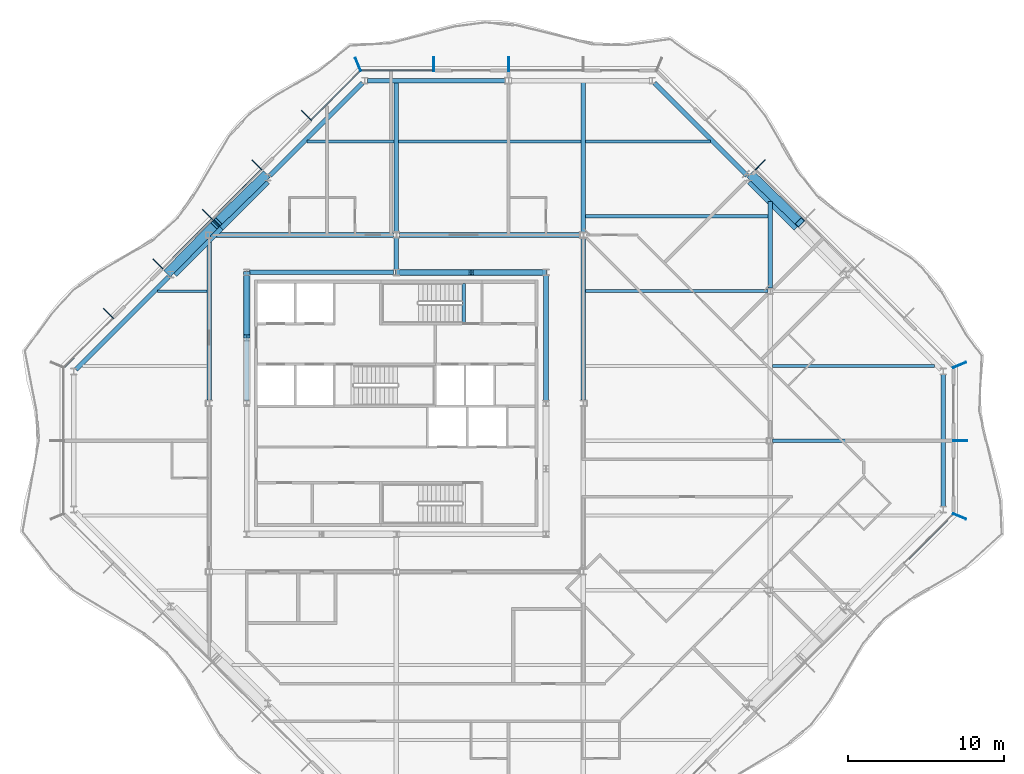
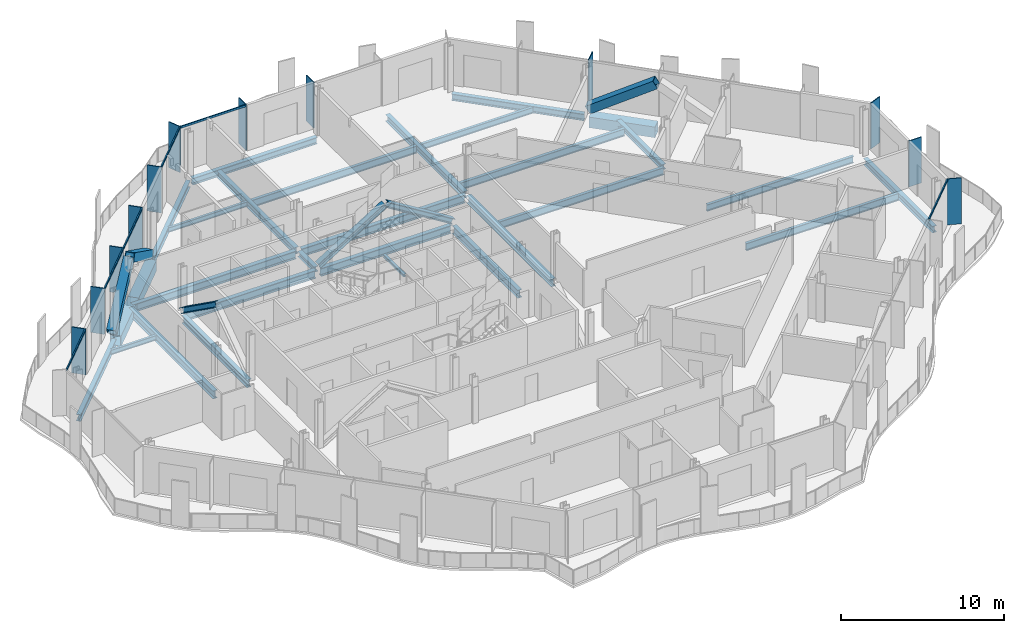
# One storey, part 4 of 17: 29 beams, 24 members, 5 elements without a shape of their own.
"""IFC4 building model written with IfcOpenShell, lengths in metres."""

from ifc_helpers import new_model, si_unit, direction, frame, origin, origin_2d, place, context, subcontext, project, spatial, rectangle, hollow_rectangle, i_section, extrude, material, material_profile, profile_set, type_object, element, aggregate, save


model = new_model("IFC4")

# Units and contexts
model_context = context("Model", 3, precision=1e-05, world=origin(), true_north=direction((0.0, 1.0)))
body_context = subcontext(model_context, "Body", "Model", "MODEL_VIEW")
ifc_project = project(units=[si_unit("LENGTHUNIT", "METRE"), si_unit("AREAUNIT", "SQUARE_METRE"), si_unit("VOLUMEUNIT", "CUBIC_METRE"), si_unit("PLANEANGLEUNIT", "RADIAN"), si_unit("MASSUNIT", "GRAM", prefix="KILO")], contexts=[model_context])

# Site, building, storey
site_placement = place(None, origin())
site = spatial("IfcSite", under=ifc_project, at=site_placement, CompositionType="ELEMENT")
building_placement = place(site_placement, origin())
building = spatial("IfcBuilding", under=site, at=building_placement, Name="Cairn Pilgrim Tower", CompositionType="ELEMENT")
storey_placement = place(building_placement, frame((0.0, 0.0, 232.199951171875)))
storey = spatial("IfcBuildingStorey", under=building, at=storey_placement, Name="L59", CompositionType="ELEMENT", Elevation=232.199951171875)

# Members
ifc_material_1 = material(Name="Structural steel S460M", Category="steel")
ifc_material_profile_1 = material_profile(ifc_material_1, hollow_rectangle(XDim=0.60009765625, YDim=0.60009765625, WallThickness=0.034912109375, at=origin_2d()), Name="BOX 600x600x35")
ifc_profile_set_1 = profile_set([ifc_material_profile_1], Name="Structural steel S460M")
member_type_1 = type_object("IfcMemberType", Name="BOX 600x600x35 BRACE", PredefinedType="BRACE", material=ifc_profile_set_1)
member_1_placement = place(storey_placement, frame((30.02392578125, 17.00146484375, 0.150146484375), z_axis=(0.610009201523, -0.594778373814, 0.523571828979), x_axis=(0.698111810848, 0.715988756584, 0.0)))
element("IfcMember", 1, at=member_1_placement, inside=storey, type_object=member_type_1, Name="XB-NE2-NE3-2", PredefinedType="BRACE", context=body_context, shape_type="SweptSolid", body=[
    extrude(hollow_rectangle(XDim=0.60009765625, YDim=0.60009765625, WallThickness=0.034912109375, at=origin_2d()), origin(), (0.0, 0.0, 1.0), 5.033203125),
])
member_2_placement = place(storey_placement, frame((-1.22412109375, 17.00146484375, 0.150146484375), z_axis=(-0.609978743911, -0.59479597279, 0.523587321016), x_axis=(0.698140268834, -0.71596100804, 0.0)))
element("IfcMember", 2, at=member_2_placement, inside=storey, type_object=member_type_1, Name="XB-NW2-NW3-1", PredefinedType="BRACE", context=body_context, shape_type="SweptSolid", body=[
    extrude(hollow_rectangle(XDim=0.60009765625, YDim=0.60009765625, WallThickness=0.034912109375, at=origin_2d()), origin(), (0.0, 0.0, 1.0), 5.032958984375),
])
member_3_placement = place(storey_placement, frame((-7.4013671875, 10.823974609375, 0.150146484375), z_axis=(0.594778373814, 0.610009201523, 0.523571828979), x_axis=(-0.715988756584, 0.698111810848, 0.0)))
element("IfcMember", 3, at=member_3_placement, inside=storey, type_object=member_type_1, Name="XB-NW2-NW3-2", PredefinedType="BRACE", context=body_context, shape_type="SweptSolid", body=[
    extrude(hollow_rectangle(XDim=0.60009765625, YDim=0.60009765625, WallThickness=0.034912109375, at=origin_2d()), origin(), (0.0, 0.0, 1.0), 5.033203125),
])

# Beams
ifc_material_2 = material(Name="Structural steel S355J2", Category="steel")
ifc_material_profile_2 = material_profile(ifc_material_2, hollow_rectangle(XDim=0.699951171875, YDim=0.800048828125, WallThickness=0.0400390625, at=origin_2d()), Name="BOX 700x800x40")
ifc_profile_set_2 = profile_set([ifc_material_profile_2], Name="Structural steel S355J2")
beam_type_1 = type_object("IfcBeamType", Name="BOX 700x800x40 RING GIRDER", PredefinedType="SPANDREL", material=ifc_profile_set_2)
for number, where, z_axis, x_axis, name in (
    (4, (32.963623046875, 13.763671875, -0.550048828125), (-0.707106781187, 0.707106781187, 0.0), (-0.707106781187, -0.707106781187, 0.0), "RG3-NE2-NE3-2"),
    (5, (-1.183837890625, 16.743408203125, -0.550048828125), (-0.707106781187, -0.707106781187, 0.0), (0.707106781187, -0.707106781187, 0.0), "RG3-NW2-NW3-1"),
):
    element("IfcBeam", number, at=place(storey_placement, frame(where, z_axis=z_axis, x_axis=x_axis)), inside=storey, type_object=beam_type_1, Name=name, PredefinedType="SPANDREL", context=body_context, shape_type="SweptSolid", body=[
        extrude(hollow_rectangle(XDim=0.699951171875, YDim=0.800048828125, WallThickness=0.0400390625, at=origin_2d()), origin(), (0.0, 0.0, 1.0), 4.2138671875),
    ])
beam_1_placement = place(storey_placement, frame((-4.16357421875, 13.763671875, -0.550048828125), z_axis=(-0.707077813866, -0.707135747321, 0.0), x_axis=(0.707135747321, -0.707077813866, 0.0)))
element("IfcBeam", 6, at=beam_1_placement, inside=storey, type_object=beam_type_1, Name="RG3-NW2-NW3-2", PredefinedType="SPANDREL", context=body_context, shape_type="SweptSolid", body=[
    extrude(hollow_rectangle(XDim=0.699951171875, YDim=0.800048828125, WallThickness=0.0400390625, at=origin_2d()), origin(), (0.0, 0.0, 1.0), 4.214111328125),
])

# Curtain wall, members
ifc_material_3 = material(Name="Aluminium alloy 6063-T6 bronze anodised with Bronze tinted laminated low-E glass 8+16+8.8", Category="aluminium")
curtain_wall_type_1 = type_object("IfcCurtainWallType", Name="TOWER STICK CURTAIN WALL EW", PredefinedType="NOTDEFINED", material=ifc_material_3)
curtain_wall_1_placement = place(storey_placement, origin())
curtain_wall_1 = element("IfcCurtainWall", 7, at=curtain_wall_1_placement, inside=storey, type_object=curtain_wall_type_1, Name="Tower Stick Curtain Wall Ew E", PredefinedType="NOTDEFINED")
ifc_material_4 = material(Name="Aluminium alloy 6063-T6 bronze anodised", Category="aluminium")
ifc_material_profile_3 = material_profile(ifc_material_4, rectangle(XDim=0.89990234375, YDim=0.06005859375, at=origin_2d()), Name="FIN MULLION 60x900 BRONZE")
ifc_profile_set_3 = profile_set([ifc_material_profile_3], Name="Aluminium alloy 6063-T6 bronze anodised")
member_type_2 = type_object("IfcMemberType", Name="FIN MULLION 60x900 BRONZE", PredefinedType="MULLION", material=ifc_profile_set_3)
member_4_placement = place(storey_placement, frame((43.338134765625, -4.857177734375, 0.0), z_axis=(0.0, 0.0, 1.0), x_axis=(0.923879532511, -0.382683432365, 0.0)))
member_4 = element("IfcMember", 8, at=member_4_placement, type_object=member_type_2, Name="Fin mullion E1", PredefinedType="MULLION", context=body_context, shape_type="SweptSolid", body=[
    extrude(rectangle(XDim=0.89990234375, YDim=0.06005859375, at=origin_2d()), origin(), (0.0, 0.0, 1.0), 3.449951171875),
])
member_5_placement = place(storey_placement, frame((43.3701171875, 0.0, 0.0), z_axis=(0.0, 0.0, 1.0), x_axis=(1.0, 0.0, 0.0)))
member_5 = element("IfcMember", 9, at=member_5_placement, type_object=member_type_2, Name="Fin mullion E2", PredefinedType="MULLION", context=body_context, shape_type="SweptSolid", body=[
    extrude(rectangle(XDim=0.89990234375, YDim=0.06005859375, at=origin_2d()), origin(), (0.0, 0.0, 1.0), 3.449951171875),
])
aggregate(curtain_wall_1, [member_4, member_5])

curtain_wall_type_2 = type_object("IfcCurtainWallType", Name="CHAMFER CORNER CURTAIN WALL", PredefinedType="NOTDEFINED", material=ifc_material_3)
curtain_wall_2_placement = place(storey_placement, origin())
curtain_wall_2 = element("IfcCurtainWall", 10, at=curtain_wall_2_placement, inside=storey, type_object=curtain_wall_type_2, Name="Chamfer Corner Curtain Wall NE", PredefinedType="NOTDEFINED")
member_6_placement = place(storey_placement, frame((43.338134765625, 4.857177734375, 0.0), z_axis=(0.0, 0.0, 1.0), x_axis=(0.923879532511, 0.382683432365, 0.0)))
member_6 = element("IfcMember", 11, at=member_6_placement, type_object=member_type_2, Name="Fin mullion NE1", PredefinedType="MULLION", context=body_context, shape_type="SweptSolid", body=[
    extrude(rectangle(XDim=0.89990234375, YDim=0.06005859375, at=origin_2d()), origin(), (0.0, 0.0, 1.0), 3.449951171875),
])
member_7_placement = place(storey_placement, frame((30.544677734375, 17.69580078125, 0.0), z_axis=(0.0, 0.0, 1.0), x_axis=(0.707106781187, 0.707106781187, 0.0)))
member_7 = element("IfcMember", 12, at=member_7_placement, type_object=member_type_2, Name="Fin mullion NE5", PredefinedType="MULLION", context=body_context, shape_type="SweptSolid", body=[
    extrude(rectangle(XDim=0.89990234375, YDim=0.06005859375, at=origin_2d()), origin(), (0.0, 0.0, 1.0), 3.449951171875),
])
aggregate(curtain_wall_2, [member_6, member_7])

curtain_wall_type_3 = type_object("IfcCurtainWallType", Name="TOWER STICK CURTAIN WALL NS", PredefinedType="NOTDEFINED", material=ifc_material_3)
curtain_wall_3_placement = place(storey_placement, origin())
curtain_wall_3 = element("IfcCurtainWall", 13, at=curtain_wall_3_placement, inside=storey, type_object=curtain_wall_type_3, Name="Tower Stick Curtain Wall Ns N", PredefinedType="NOTDEFINED")
member_8_placement = place(storey_placement, frame((14.39990234375, 24.169921875, 0.0), z_axis=(0.0, 0.0, 1.0), x_axis=(0.0, 1.0, 0.0)))
member_8 = element("IfcMember", 14, at=member_8_placement, type_object=member_type_2, Name="Fin mullion N3", PredefinedType="MULLION", context=body_context, shape_type="SweptSolid", body=[
    extrude(rectangle(XDim=0.89990234375, YDim=0.06005859375, at=origin_2d()), origin(), (0.0, 0.0, 1.0), 3.449951171875),
])
member_9_placement = place(storey_placement, frame((9.60009765625, 24.169921875, 0.0), z_axis=(0.0, 0.0, 1.0), x_axis=(0.0, 1.0, 0.0)))
member_9 = element("IfcMember", 15, at=member_9_placement, type_object=member_type_2, Name="Fin mullion N4", PredefinedType="MULLION", context=body_context, shape_type="SweptSolid", body=[
    extrude(rectangle(XDim=0.89990234375, YDim=0.06005859375, at=origin_2d()), origin(), (0.0, 0.0, 1.0), 3.449951171875),
])

curtain_wall_4_placement = place(storey_placement, origin())
curtain_wall_4 = element("IfcCurtainWall", 16, at=curtain_wall_4_placement, inside=storey, type_object=curtain_wall_type_2, Name="Chamfer Corner Curtain Wall NW", PredefinedType="NOTDEFINED")
member_10_placement = place(storey_placement, frame((4.742919921875, 24.137939453125, 0.0), z_axis=(0.0, 0.0, 1.0), x_axis=(-0.382683432365, 0.923879532511, 0.0)))
member_10 = element("IfcMember", 17, at=member_10_placement, type_object=member_type_2, Name="Fin mullion NW1", PredefinedType="MULLION", context=body_context, shape_type="SweptSolid", body=[
    extrude(rectangle(XDim=0.89990234375, YDim=0.06005859375, at=origin_2d()), origin(), (0.0, 0.0, 1.0), 3.449951171875),
])
member_11_placement = place(storey_placement, frame((1.430908203125, 20.871337890625, 0.0), z_axis=(0.0, 0.0, 1.0), x_axis=(-0.707106781187, 0.707106781187, 0.0)))
member_11 = element("IfcMember", 18, at=member_11_placement, type_object=member_type_2, Name="Fin mullion NW2", PredefinedType="MULLION", context=body_context, shape_type="SweptSolid", body=[
    extrude(rectangle(XDim=0.89990234375, YDim=0.06005859375, at=origin_2d()), origin(), (0.0, 0.0, 1.0), 3.449951171875),
])
member_12_placement = place(storey_placement, frame((-1.74462890625, 17.69580078125, 0.0), z_axis=(0.0, 0.0, 1.0), x_axis=(-0.707106781187, 0.707106781187, 0.0)))
member_12 = element("IfcMember", 19, at=member_12_placement, type_object=member_type_2, Name="Fin mullion NW3", PredefinedType="MULLION", context=body_context, shape_type="SweptSolid", body=[
    extrude(rectangle(XDim=0.89990234375, YDim=0.06005859375, at=origin_2d()), origin(), (0.0, 0.0, 1.0), 3.449951171875),
])
member_13_placement = place(storey_placement, frame((-4.920166015625, 14.520263671875, 0.0), z_axis=(0.0, 0.0, 1.0), x_axis=(-0.707106781187, 0.707106781187, 0.0)))
member_13 = element("IfcMember", 20, at=member_13_placement, type_object=member_type_2, Name="Fin mullion NW4", PredefinedType="MULLION", context=body_context, shape_type="SweptSolid", body=[
    extrude(rectangle(XDim=0.89990234375, YDim=0.06005859375, at=origin_2d()), origin(), (0.0, 0.0, 1.0), 3.449951171875),
])
member_14_placement = place(storey_placement, frame((-8.095703125, 11.3447265625, 0.0), z_axis=(0.0, 0.0, 1.0), x_axis=(-0.707106781187, 0.707106781187, 0.0)))
member_14 = element("IfcMember", 21, at=member_14_placement, type_object=member_type_2, Name="Fin mullion NW5", PredefinedType="MULLION", context=body_context, shape_type="SweptSolid", body=[
    extrude(rectangle(XDim=0.89990234375, YDim=0.06005859375, at=origin_2d()), origin(), (0.0, 0.0, 1.0), 3.449951171875),
])
member_15_placement = place(storey_placement, frame((-11.271484375, 8.1689453125, 0.0), z_axis=(0.0, 0.0, 1.0), x_axis=(-0.707106781187, 0.707106781187, 0.0)))
member_15 = element("IfcMember", 22, at=member_15_placement, type_object=member_type_2, Name="Fin mullion NW6", PredefinedType="MULLION", context=body_context, shape_type="SweptSolid", body=[
    extrude(rectangle(XDim=0.89990234375, YDim=0.06005859375, at=origin_2d()), origin(), (0.0, 0.0, 1.0), 3.449951171875),
])

# Members
ifc_material_profile_4 = material_profile(ifc_material_2, i_section(OverallWidth=0.39794921875, OverallDepth=0.386962890625, WebThickness=0.02099609375, FlangeThickness=0.033203125, FilletRadius=0.014892578125, at=origin_2d()), Name="HD 400x262")
ifc_profile_set_4 = profile_set([ifc_material_profile_4], Name="Structural steel S355J2")
member_type_3 = type_object("IfcMemberType", Name="HD 400x262 BRACE", PredefinedType="BRACE", material=ifc_profile_set_4)
for number, where, z_axis, x_axis, name in (
    (23, (16.759521484375, 10.800048828125, 0.10009765625), (-0.851180404412, 0.0, 0.524873241025), (0.0, -1.0, 0.0), "KB-3A"),
    (24, (7.240478515625, 10.800048828125, 0.10009765625), (0.851180404412, 0.0, 0.524873241025), (0.0, 1.0, 0.0), "KB-3B"),
):
    element("IfcMember", number, at=place(storey_placement, frame(where, z_axis=z_axis, x_axis=x_axis)), inside=storey, type_object=member_type_3, Name=name, PredefinedType="BRACE", context=body_context, shape_type="SweptSolid", body=[
        extrude(i_section(OverallWidth=0.39794921875, OverallDepth=0.386962890625, WebThickness=0.02099609375, FlangeThickness=0.033203125, FilletRadius=0.014892578125, at=origin_2d()), origin(), (0.0, 0.0, 1.0), 5.529052734375),
    ])
member_16_placement = place(storey_placement, frame((-2.39990234375, 10.759521484375, 0.10009765625), z_axis=(0.0, -0.814412678688, 0.580286126659), x_axis=(1.0, 0.0, 0.0)))
element("IfcMember", 25, at=member_16_placement, inside=storey, type_object=member_type_3, Name="KB-4A", PredefinedType="BRACE", context=body_context, shape_type="SweptSolid", body=[
    extrude(i_section(OverallWidth=0.39794921875, OverallDepth=0.386962890625, WebThickness=0.02099609375, FlangeThickness=0.033203125, FilletRadius=0.014892578125, at=origin_2d()), origin(), (0.0, 0.0, 1.0), 4.9990234375),
])

# Beams
ifc_material_profile_5 = material_profile(ifc_material_2, i_section(OverallWidth=0.300048828125, OverallDepth=0.39990234375, WebThickness=0.013427734375, FlangeThickness=0.02392578125, FilletRadius=0.027099609375, at=origin_2d()), Name="HEB 400")
ifc_profile_set_5 = profile_set([ifc_material_profile_5], Name="Structural steel S355J2")
beam_type_2 = type_object("IfcBeamType", Name="HEB 400 GIRDER", PredefinedType="BEAM", material=ifc_profile_set_5)
beam_2_placement = place(storey_placement, frame((7.199951171875, 11.001953125, -0.349853515625), z_axis=(0.0, 1.0, 0.0), x_axis=(-1.0, 0.0, 0.0)))
element("IfcBeam", 26, at=beam_2_placement, inside=storey, type_object=beam_type_2, Name="PG3-E2", PredefinedType="BEAM", context=body_context, shape_type="SweptSolid", body=[
    extrude(i_section(OverallWidth=0.300048828125, OverallDepth=0.39990234375, WebThickness=0.013427734375, FlangeThickness=0.02392578125, FilletRadius=0.027099609375, at=origin_2d()), origin(), (0.0, 0.0, 1.0), 1.99853515625),
])
beam_3_placement = place(storey_placement, frame((31.199951171875, 9.799560546875, -0.349853515625), z_axis=(0.0, 1.0, 0.0), x_axis=(-1.0, 0.0, 0.0)))
element("IfcBeam", 27, at=beam_3_placement, inside=storey, type_object=beam_type_2, Name="PG5-4", PredefinedType="BEAM", context=body_context, shape_type="SweptSolid", body=[
    extrude(i_section(OverallWidth=0.300048828125, OverallDepth=0.39990234375, WebThickness=0.013427734375, FlangeThickness=0.02392578125, FilletRadius=0.027099609375, at=origin_2d()), origin(), (0.0, 0.0, 1.0), 5.545654296875),
])
ifc_material_profile_6 = material_profile(ifc_material_2, i_section(OverallWidth=0.300048828125, OverallDepth=0.5, WebThickness=0.014404296875, FlangeThickness=0.028076171875, FilletRadius=0.027099609375, at=origin_2d()), Name="HEB 500")
ifc_profile_set_6 = profile_set([ifc_material_profile_6], Name="Structural steel S355J2")
beam_type_3 = type_object("IfcBeamType", Name="HEB 500 GIRDER", PredefinedType="BEAM", material=ifc_profile_set_6)
for number, where, z_axis, x_axis, name in (
    (28, (7.199951171875, 13.3994140625, -0.39990234375), (0.0, 1.0, 0.0), (-1.0, 0.0, 0.0), "PG3-2"),
    (29, (19.199951171875, 13.3994140625, -0.39990234375), (0.0, 1.0, 0.0), (-1.0, 0.0, 0.0), "PG4-4"),
):
    element("IfcBeam", number, at=place(storey_placement, frame(where, z_axis=z_axis, x_axis=x_axis)), inside=storey, type_object=beam_type_3, Name=name, PredefinedType="BEAM", context=body_context, shape_type="SweptSolid", body=[
        extrude(i_section(OverallWidth=0.300048828125, OverallDepth=0.5, WebThickness=0.014404296875, FlangeThickness=0.028076171875, FilletRadius=0.027099609375, at=origin_2d()), origin(), (0.0, 0.0, 1.0), 9.58056640625),
    ])
ifc_material_profile_7 = material_profile(ifc_material_2, i_section(OverallWidth=0.300048828125, OverallDepth=0.5, WebThickness=0.014404296875, FlangeThickness=0.028076171875, FilletRadius=0.027099609375, at=origin_2d()), Name="HEB 500")
ifc_profile_set_7 = profile_set([ifc_material_profile_7], Name="Structural steel S355J2")
beam_type_4 = type_object("IfcBeamType", Name="HEB 500 RING GIRDER", PredefinedType="SPANDREL", material=ifc_profile_set_7)
beam_4_placement = place(storey_placement, frame((42.300048828125, -4.239990234375, -0.39990234375), z_axis=(0.0, 1.0, 0.0), x_axis=(-1.0, 0.0, 0.0)))
element("IfcBeam", 30, at=beam_4_placement, inside=storey, type_object=beam_type_4, Name="RG3-E1-NE1", PredefinedType="SPANDREL", context=body_context, shape_type="SweptSolid", body=[
    extrude(i_section(OverallWidth=0.300048828125, OverallDepth=0.5, WebThickness=0.014404296875, FlangeThickness=0.028076171875, FilletRadius=0.027099609375, at=origin_2d()), origin(), (0.0, 0.0, 1.0), 8.47998046875),
])
beam_5_placement = place(storey_placement, frame((29.718994140625, 17.008056640625, -0.39990234375), z_axis=(-0.707106781187, 0.707106781187, 0.0), x_axis=(-0.707106781187, -0.707106781187, 0.0)))
element("IfcBeam", 31, at=beam_5_placement, inside=storey, type_object=beam_type_4, Name="RG3-NE3-N1", PredefinedType="SPANDREL", context=body_context, shape_type="SweptSolid", body=[
    extrude(i_section(OverallWidth=0.300048828125, OverallDepth=0.5, WebThickness=0.014404296875, FlangeThickness=0.028076171875, FilletRadius=0.027099609375, at=origin_2d()), origin(), (0.0, 0.0, 1.0), 8.427978515625),
])
beam_6_placement = place(storey_placement, frame((14.212890625, 23.10009765625, -0.39990234375), z_axis=(-1.0, 0.0, 0.0), x_axis=(0.0, -1.0, 0.0)))
element("IfcBeam", 32, at=beam_6_placement, inside=storey, type_object=beam_type_4, Name="RG3-N2-NW1", PredefinedType="SPANDREL", context=body_context, shape_type="SweptSolid", body=[
    extrude(i_section(OverallWidth=0.300048828125, OverallDepth=0.5, WebThickness=0.014404296875, FlangeThickness=0.028076171875, FilletRadius=0.027099609375, at=origin_2d()), origin(), (0.0, 0.0, 1.0), 8.852783203125),
])
for number, where, z_axis, x_axis, name in (
    (33, (5.040283203125, 22.967529296875, -0.39990234375), (-0.707106781187, -0.707106781187, 0.0), (0.707106781187, -0.707106781187, 0.0), "RG3-NW1-NW2"),
    (34, (-7.408203125, 10.51904296875, -0.39990234375), (-0.707106781187, -0.707106781187, 0.0), (0.707106781187, -0.707106781187, 0.0), "RG3-NW3-W1"),
):
    element("IfcBeam", number, at=place(storey_placement, frame(where, z_axis=z_axis, x_axis=x_axis)), inside=storey, type_object=beam_type_4, Name=name, PredefinedType="SPANDREL", context=body_context, shape_type="SweptSolid", body=[
        extrude(i_section(OverallWidth=0.300048828125, OverallDepth=0.5, WebThickness=0.014404296875, FlangeThickness=0.028076171875, FilletRadius=0.027099609375, at=origin_2d()), origin(), (0.0, 0.0, 1.0), 8.427978515625),
    ])
ifc_material_profile_8 = material_profile(ifc_material_2, i_section(OverallWidth=0.300048828125, OverallDepth=0.60009765625, WebThickness=0.015380859375, FlangeThickness=0.030029296875, FilletRadius=0.027099609375, at=origin_2d()), Name="HEB 600")
ifc_profile_set_8 = profile_set([ifc_material_profile_8], Name="Structural steel S355J2")
beam_type_5 = type_object("IfcBeamType", Name="HEB 600 CORE BEAM", PredefinedType="BEAM", material=ifc_profile_set_8)
beam_7_placement = place(storey_placement, frame((16.800048828125, 2.581787109375, -0.449951171875), z_axis=(0.0, 1.0, 0.0), x_axis=(-1.0, 0.0, 0.0)))
element("IfcBeam", 35, at=beam_7_placement, inside=storey, type_object=beam_type_5, Name="CB-4", PredefinedType="BEAM", context=body_context, shape_type="SweptSolid", body=[
    extrude(i_section(OverallWidth=0.300048828125, OverallDepth=0.60009765625, WebThickness=0.015380859375, FlangeThickness=0.030029296875, FilletRadius=0.027099609375, at=origin_2d()), origin(), (0.0, 0.0, 1.0), 8.036376953125),
])
beam_8_placement = place(storey_placement, frame((16.6181640625, 10.800048828125, -0.449951171875), z_axis=(-1.0, 0.0, 0.0), x_axis=(0.0, -1.0, 0.0)))
element("IfcBeam", 36, at=beam_8_placement, inside=storey, type_object=beam_type_5, Name="CB-5", PredefinedType="BEAM", context=body_context, shape_type="SweptSolid", body=[
    extrude(i_section(OverallWidth=0.300048828125, OverallDepth=0.60009765625, WebThickness=0.015380859375, FlangeThickness=0.030029296875, FilletRadius=0.027099609375, at=origin_2d()), origin(), (0.0, 0.0, 1.0), 9.236328125),
])
beam_9_placement = place(storey_placement, frame((7.018310546875, 10.800048828125, -0.449951171875), z_axis=(-1.0, 0.0, 0.0), x_axis=(0.0, -1.0, 0.0)))
element("IfcBeam", 37, at=beam_9_placement, inside=storey, type_object=beam_type_5, Name="CB-6", PredefinedType="BEAM", context=body_context, shape_type="SweptSolid", body=[
    extrude(i_section(OverallWidth=0.300048828125, OverallDepth=0.60009765625, WebThickness=0.015380859375, FlangeThickness=0.030029296875, FilletRadius=0.027099609375, at=origin_2d()), origin(), (0.0, 0.0, 1.0), 9.236572265625),
])
beam_10_placement = place(storey_placement, frame((-2.39990234375, 10.6181640625, -0.449951171875), z_axis=(0.0, -1.0, 0.0), x_axis=(1.0, 0.0, 0.0)))
element("IfcBeam", 38, at=beam_10_placement, inside=storey, type_object=beam_type_5, Name="CB-7", PredefinedType="BEAM", context=body_context, shape_type="SweptSolid", body=[
    extrude(i_section(OverallWidth=0.300048828125, OverallDepth=0.60009765625, WebThickness=0.015380859375, FlangeThickness=0.030029296875, FilletRadius=0.027099609375, at=origin_2d()), origin(), (0.0, 0.0, 1.0), 8.036376953125),
])
ifc_material_profile_9 = material_profile(ifc_material_2, i_section(OverallWidth=0.300048828125, OverallDepth=0.60009765625, WebThickness=0.015380859375, FlangeThickness=0.030029296875, FilletRadius=0.027099609375, at=origin_2d()), Name="HEB 600")
ifc_profile_set_9 = profile_set([ifc_material_profile_9], Name="Structural steel S355J2")
beam_type_6 = type_object("IfcBeamType", Name="HEB 600 GIRDER", PredefinedType="BEAM", material=ifc_profile_set_9)
beam_11_placement = place(storey_placement, frame((-4.800048828125, 2.599609375, -0.449951171875), z_axis=(0.0, 1.0, 0.0), x_axis=(-1.0, 0.0, 0.0)))
element("IfcBeam", 39, at=beam_11_placement, inside=storey, type_object=beam_type_6, Name="PG2-3", PredefinedType="BEAM", context=body_context, shape_type="SweptSolid", body=[
    extrude(i_section(OverallWidth=0.300048828125, OverallDepth=0.60009765625, WebThickness=0.015380859375, FlangeThickness=0.030029296875, FilletRadius=0.027099609375, at=origin_2d()), origin(), (0.0, 0.0, 1.0), 10.345458984375),
])
beam_12_placement = place(storey_placement, frame((19.199951171875, 2.599609375, -0.449951171875), z_axis=(0.0, 1.0, 0.0), x_axis=(-1.0, 0.0, 0.0)))
element("IfcBeam", 40, at=beam_12_placement, inside=storey, type_object=beam_type_6, Name="PG4-3", PredefinedType="BEAM", context=body_context, shape_type="SweptSolid", body=[
    extrude(i_section(OverallWidth=0.300048828125, OverallDepth=0.60009765625, WebThickness=0.015380859375, FlangeThickness=0.030029296875, FilletRadius=0.027099609375, at=origin_2d()), origin(), (0.0, 0.0, 1.0), 10.40087890625),
])
ifc_material_profile_10 = material_profile(ifc_material_2, i_section(OverallWidth=0.300048828125, OverallDepth=0.60009765625, WebThickness=0.015380859375, FlangeThickness=0.030029296875, FilletRadius=0.027099609375, at=origin_2d()), Name="HEB 600")
ifc_profile_set_10 = profile_set([ifc_material_profile_10], Name="Structural steel S355J2")
beam_type_7 = type_object("IfcBeamType", Name="HEB 600 INNER GIRDER", PredefinedType="BEAM", material=ifc_profile_set_10)
for number, where, z_axis, x_axis, name in (
    (41, (-4.6005859375, 13.199951171875, -0.449951171875), (1.0, 0.0, 0.0), (0.0, 1.0, 0.0), "IG2-1"),
    (42, (7.3994140625, 13.199951171875, -0.449951171875), (1.0, 0.0, 0.0), (0.0, 1.0, 0.0), "IG2-2"),
):
    element("IfcBeam", number, at=place(storey_placement, frame(where, z_axis=z_axis, x_axis=x_axis)), inside=storey, type_object=beam_type_7, Name=name, PredefinedType="BEAM", context=body_context, shape_type="SweptSolid", body=[
        extrude(i_section(OverallWidth=0.300048828125, OverallDepth=0.60009765625, WebThickness=0.015380859375, FlangeThickness=0.030029296875, FilletRadius=0.027099609375, at=origin_2d()), origin(), (0.0, 0.0, 1.0), 11.60107421875),
    ])
ifc_material_profile_11 = material_profile(ifc_material_2, i_section(OverallWidth=0.169921875, OverallDepth=0.360107421875, WebThickness=0.008056640625, FlangeThickness=0.0126953125, FilletRadius=0.01806640625, at=origin_2d()), Name="IPE 360")
ifc_profile_set_11 = profile_set([ifc_material_profile_11], Name="Structural steel S355J2")
beam_type_8 = type_object("IfcBeamType", Name="IPE 360 SECONDARY BEAM", PredefinedType="JOIST", material=ifc_profile_set_11)
beam_13_placement = place(storey_placement, frame((-8.14501953125, 9.60009765625, -0.329833984375), z_axis=(1.0, 0.0, 0.0), x_axis=(0.0, 1.0, 0.0)))
element("IfcBeam", 43, at=beam_13_placement, inside=storey, type_object=beam_type_8, Name="SB7-1", PredefinedType="JOIST", context=body_context, shape_type="SweptSolid", body=[
    extrude(i_section(OverallWidth=0.169921875, OverallDepth=0.360107421875, WebThickness=0.008056640625, FlangeThickness=0.0126953125, FilletRadius=0.01806640625, at=origin_2d()), origin(), (0.0, 0.0, 1.0), 3.195068359375),
])
beam_14_placement = place(storey_placement, frame((1.454833984375, 19.199951171875, -0.329833984375), z_axis=(1.0, 0.0, 0.0), x_axis=(0.0, 1.0, 0.0)))
element("IfcBeam", 44, at=beam_14_placement, inside=storey, type_object=beam_type_8, Name="SB9-1", PredefinedType="JOIST", context=body_context, shape_type="SweptSolid", body=[
    extrude(i_section(OverallWidth=0.169921875, OverallDepth=0.360107421875, WebThickness=0.008056640625, FlangeThickness=0.0126953125, FilletRadius=0.01806640625, at=origin_2d()), origin(), (0.0, 0.0, 1.0), 5.59521484375),
])
ifc_material_profile_12 = material_profile(ifc_material_2, i_section(OverallWidth=0.18994140625, OverallDepth=0.449951171875, WebThickness=0.009521484375, FlangeThickness=0.0146484375, FilletRadius=0.02099609375, at=origin_2d()), Name="IPE 450")
ifc_profile_set_12 = profile_set([ifc_material_profile_12], Name="Structural steel S355J2")
beam_type_9 = type_object("IfcBeamType", Name="IPE 450 SECONDARY BEAM", PredefinedType="JOIST", material=ifc_profile_set_12)
beam_15_placement = place(storey_placement, frame((19.35009765625, 19.199951171875, -0.375), z_axis=(1.0, 0.0, 0.0), x_axis=(0.0, 1.0, 0.0)))
element("IfcBeam", 45, at=beam_15_placement, inside=storey, type_object=beam_type_9, Name="SB9-3", PredefinedType="JOIST", context=body_context, shape_type="SweptSolid", body=[
    extrude(i_section(OverallWidth=0.18994140625, OverallDepth=0.449951171875, WebThickness=0.009521484375, FlangeThickness=0.0146484375, FilletRadius=0.02099609375, at=origin_2d()), origin(), (0.0, 0.0, 1.0), 7.9951171875),
])
ifc_material_profile_13 = material_profile(ifc_material_2, i_section(OverallWidth=0.199951171875, OverallDepth=0.5, WebThickness=0.01025390625, FlangeThickness=0.01611328125, FilletRadius=0.02099609375, at=origin_2d()), Name="IPE 500")
ifc_profile_set_13 = profile_set([ifc_material_profile_13], Name="Structural steel S355J2")
beam_type_10 = type_object("IfcBeamType", Name="IPE 500 SECONDARY BEAM", PredefinedType="JOIST", material=ifc_profile_set_13)
beam_16_placement = place(storey_placement, frame((31.35009765625, 4.800048828125, -0.39990234375), z_axis=(1.0, 0.0, 0.0), x_axis=(0.0, 1.0, 0.0)))
element("IfcBeam", 46, at=beam_16_placement, inside=storey, type_object=beam_type_10, Name="SB6-3", PredefinedType="JOIST", context=body_context, shape_type="SweptSolid", body=[
    extrude(i_section(OverallWidth=0.199951171875, OverallDepth=0.5, WebThickness=0.01025390625, FlangeThickness=0.01611328125, FilletRadius=0.02099609375, at=origin_2d()), origin(), (0.0, 0.0, 1.0), 10.39501953125),
])
ifc_material_profile_14 = material_profile(ifc_material_2, i_section(OverallWidth=0.2099609375, OverallDepth=0.550048828125, WebThickness=0.010986328125, FlangeThickness=0.01708984375, FilletRadius=0.02392578125, at=origin_2d()), Name="IPE 550")
ifc_profile_set_14 = profile_set([ifc_material_profile_14], Name="Structural steel S355J2")
beam_type_11 = type_object("IfcBeamType", Name="IPE 550 SECONDARY BEAM", PredefinedType="JOIST", material=ifc_profile_set_14)
beam_17_placement = place(storey_placement, frame((31.35009765625, 0.0, -0.425048828125), z_axis=(1.0, 0.0, 0.0), x_axis=(0.0, 1.0, 0.0)))
element("IfcBeam", 47, at=beam_17_placement, inside=storey, type_object=beam_type_11, Name="SB5-3", PredefinedType="JOIST", context=body_context, shape_type="SweptSolid", body=[
    extrude(i_section(OverallWidth=0.2099609375, OverallDepth=0.550048828125, WebThickness=0.010986328125, FlangeThickness=0.01708984375, FilletRadius=0.02392578125, at=origin_2d()), origin(), (0.0, 0.0, 1.0), 10.829833984375),
])
for number, where, z_axis, x_axis, name in (
    (48, (19.35009765625, 9.60009765625, -0.425048828125), (1.0, 0.0, 0.0), (0.0, 1.0, 0.0), "SB7-2"),
    (49, (19.35009765625, 14.39990234375, -0.425048828125), (1.0, 0.0, 0.0), (0.0, 1.0, 0.0), "SB8-1"),
    (50, (7.35009765625, 19.199951171875, -0.425048828125), (1.0, 0.0, 0.0), (0.0, 1.0, 0.0), "SB9-2"),
):
    element("IfcBeam", number, at=place(storey_placement, frame(where, z_axis=z_axis, x_axis=x_axis)), inside=storey, type_object=beam_type_11, Name=name, PredefinedType="JOIST", context=body_context, shape_type="SweptSolid", body=[
        extrude(i_section(OverallWidth=0.2099609375, OverallDepth=0.550048828125, WebThickness=0.010986328125, FlangeThickness=0.01708984375, FilletRadius=0.02392578125, at=origin_2d()), origin(), (0.0, 0.0, 1.0), 11.699951171875),
    ])
ifc_material_profile_15 = material_profile(ifc_material_2, i_section(OverallWidth=0.199951171875, OverallDepth=0.199951171875, WebThickness=0.009033203125, FlangeThickness=0.014892578125, FilletRadius=0.01806640625, at=origin_2d()), Name="HE 200 B")
ifc_profile_set_15 = profile_set([ifc_material_profile_15], Name="Structural steel S355J2")
beam_type_12 = type_object("IfcBeamType", Name="STAIR LANDING BEAM HE 200 B", PredefinedType="BEAM", material=ifc_profile_set_15)
beam_18_placement = place(storey_placement, frame((11.5244140625, 10.10009765625, -0.25), z_axis=(0.0, -1.0, 0.0), x_axis=(1.0, 0.0, 0.0)))
element("IfcBeam", 51, at=beam_18_placement, inside=storey, type_object=beam_type_12, Name="STAIR LANDING BEAM LD-HE200B", PredefinedType="BEAM", context=body_context, shape_type="SweptSolid", body=[
    extrude(i_section(OverallWidth=0.199951171875, OverallDepth=0.199951171875, WebThickness=0.009033203125, FlangeThickness=0.014892578125, FilletRadius=0.01806640625, at=origin_2d()), origin(), (0.0, 0.0, 1.0), 2.525146484375),
])

# Curtain wall, member
curtain_wall_5_placement = place(storey_placement, origin())
curtain_wall_5 = element("IfcCurtainWall", 52, at=curtain_wall_5_placement, inside=storey, type_object=curtain_wall_type_2, Name="Chamfer Corner Curtain Wall SE", PredefinedType="NOTDEFINED")
ifc_material_profile_16 = material_profile(ifc_material_4, rectangle(XDim=0.080078125, YDim=0.14990234375, at=origin_2d()), Name="TRANSOM 80x150 BRONZE")
ifc_profile_set_16 = profile_set([ifc_material_profile_16], Name="Aluminium alloy 6063-T6 bronze anodised")
member_type_4 = type_object("IfcMemberType", Name="TRANSOM 80x150 BRONZE", PredefinedType="USERDEFINED", material=ifc_profile_set_16)
member_17_placement = place(storey_placement, frame((39.795654296875, -7.850830078125, 3.375), z_axis=(0.707079168996, 0.707134392299, 0.0), x_axis=(-0.707134392299, 0.707079168996, 0.0)))
member_17 = element("IfcMember", 53, at=member_17_placement, type_object=member_type_4, Name="Transom SE6", ObjectType="TRANSOM", PredefinedType="USERDEFINED", context=body_context, shape_type="SweptSolid", body=[
    extrude(rectangle(XDim=0.080078125, YDim=0.14990234375, at=origin_2d()), origin(), (0.0, 0.0, 1.0), 4.4208984375),
])
aggregate(curtain_wall_5, [member_17])

# Member
member_18_placement = place(storey_placement, frame((9.570068359375, 23.75, 3.375), z_axis=(-1.0, 0.0, 0.0), x_axis=(0.0, -1.0, 0.0)))
member_18 = element("IfcMember", 54, at=member_18_placement, type_object=member_type_4, Name="Transom N4", ObjectType="TRANSOM", PredefinedType="USERDEFINED", context=body_context, shape_type="SweptSolid", body=[
    extrude(rectangle(XDim=0.080078125, YDim=0.14990234375, at=origin_2d()), origin(), (0.0, 0.0, 1.0), 4.62646484375),
])

aggregate(curtain_wall_3, [member_8, member_9, member_18])

member_19_placement = place(storey_placement, frame((4.875244140625, 23.7216796875, 3.375), z_axis=(-0.707106781187, -0.707106781187, 0.0), x_axis=(0.707106781187, -0.707106781187, 0.0)))
member_19 = element("IfcMember", 55, at=member_19_placement, type_object=member_type_4, Name="Transom NW1", ObjectType="TRANSOM", PredefinedType="USERDEFINED", context=body_context, shape_type="SweptSolid", body=[
    extrude(rectangle(XDim=0.080078125, YDim=0.14990234375, at=origin_2d()), origin(), (0.0, 0.0, 1.0), 4.4208984375),
])

member_20_placement = place(storey_placement, frame((-1.46875, 17.377685546875, 3.375), z_axis=(-0.707106781187, -0.707106781187, 0.0), x_axis=(0.707106781187, -0.707106781187, 0.0)))
member_20 = element("IfcMember", 56, at=member_20_placement, type_object=member_type_4, Name="Transom NW3", ObjectType="TRANSOM", PredefinedType="USERDEFINED", context=body_context, shape_type="SweptSolid", body=[
    extrude(rectangle(XDim=0.080078125, YDim=0.14990234375, at=origin_2d()), origin(), (0.0, 0.0, 1.0), 4.43115234375),
])

member_21_placement = place(storey_placement, frame((-4.64453125, 14.201904296875, 3.375), z_axis=(-0.707106781187, -0.707106781187, 0.0), x_axis=(0.707106781187, -0.707106781187, 0.0)))
member_21 = element("IfcMember", 57, at=member_21_placement, type_object=member_type_4, Name="Transom NW4", ObjectType="TRANSOM", PredefinedType="USERDEFINED", context=body_context, shape_type="SweptSolid", body=[
    extrude(rectangle(XDim=0.080078125, YDim=0.14990234375, at=origin_2d()), origin(), (0.0, 0.0, 1.0), 4.430908203125),
])

member_22_placement = place(storey_placement, frame((-10.99560546875, 7.850830078125, 3.375), z_axis=(-0.707106781187, -0.707106781187, 0.0), x_axis=(0.707106781187, -0.707106781187, 0.0)))
member_22 = element("IfcMember", 58, at=member_22_placement, type_object=member_type_4, Name="Transom NW6", ObjectType="TRANSOM", PredefinedType="USERDEFINED", context=body_context, shape_type="SweptSolid", body=[
    extrude(rectangle(XDim=0.080078125, YDim=0.14990234375, at=origin_2d()), origin(), (0.0, 0.0, 1.0), 4.421142578125),
])

aggregate(curtain_wall_4, [member_10, member_11, member_12, member_13, member_14, member_15, member_19, member_20, member_21, member_22])

save(model, "model.ifc")
